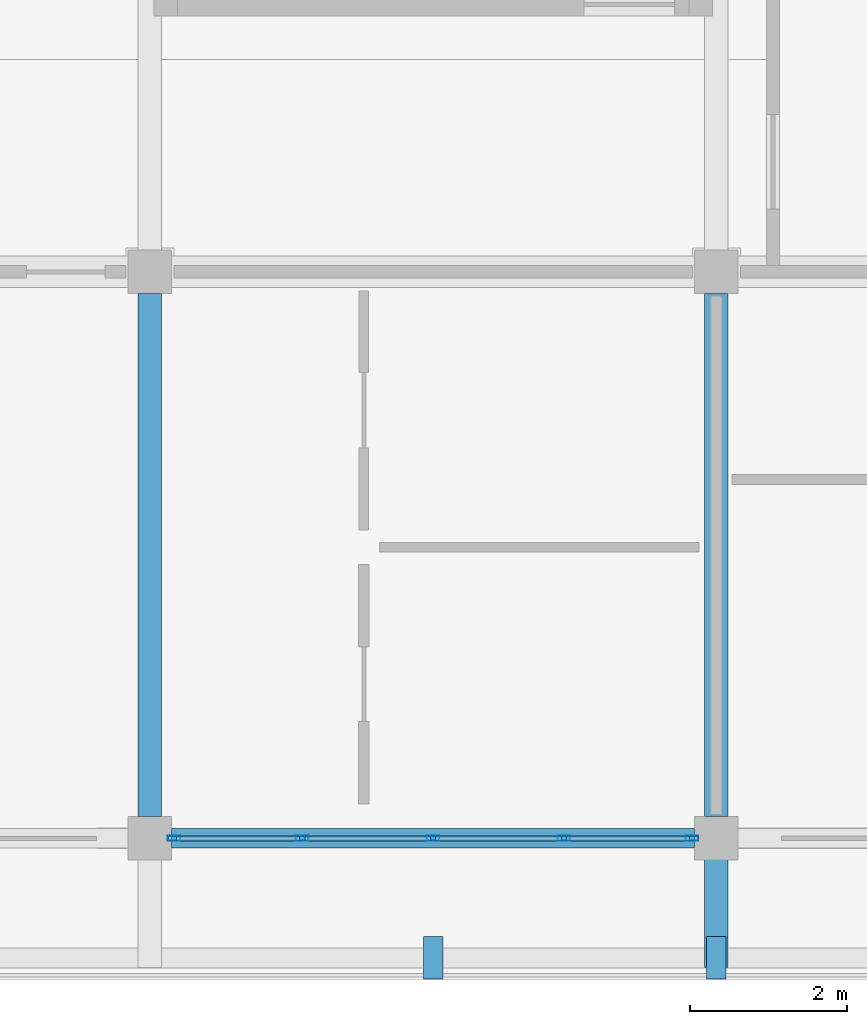
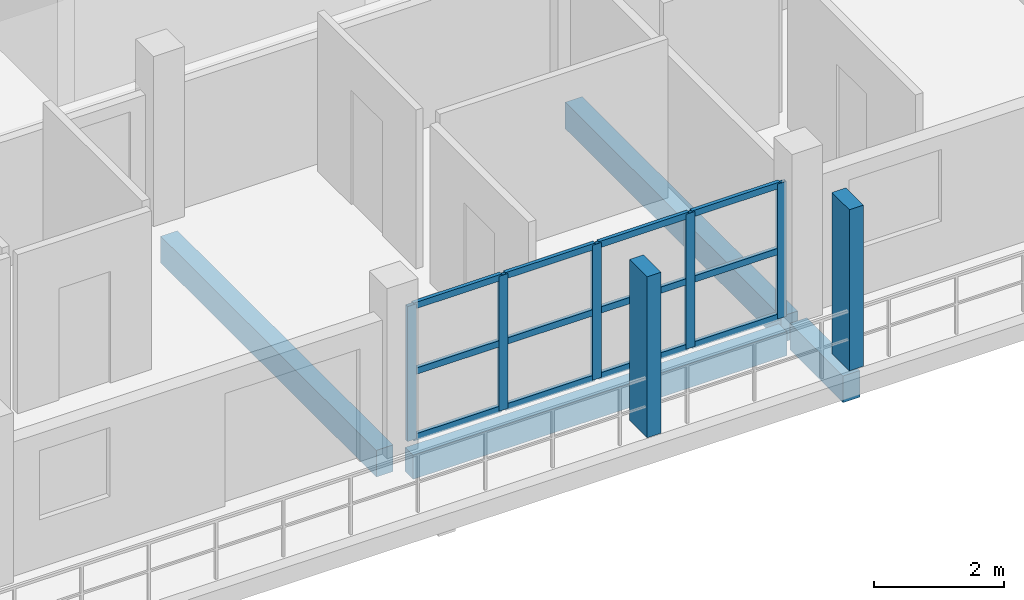
# One storey, part 4 of 67: 19 members, 4 beams, 1 element without a shape of its own.
"""IFC4 building model written with IfcOpenShell, lengths in metres."""

import ifcopenshell
import ifcopenshell.guid

model = None  # the IFC model being written
_history = None  # IfcOwnerHistory: only IFC2X3 demands one
_inside = {}  # id of a spatial element -> (the spatial element, [elements in it])
_under = {}  # id of a project, library or spatial element -> (it, [spatial elements below it])
_declared = {}  # id of a project -> (the project, [libraries it declares])
_typed = {}  # id of a type object -> (the type object, [elements of that type])
_made_of = {}  # id of a material, layer set ... -> (it, [elements and type objects made of it])


def new_model(schema):
    """Start an empty IFC model of exactly this schema.

    Asked for "IFC4X3", IfcOpenShell would pick the latest addendum, in which some entities
    have other attributes; the version numbers below select the first issue.
    IFC2X3 requires an IfcOwnerHistory on every rooted entity: one is made here for all.
    """
    global model, _history
    if schema == "IFC4X3":
        model = ifcopenshell.file(schema_version=(4, 3, 0, 0))
    else:
        model = ifcopenshell.file(schema=schema)
    _inside.clear()
    _under.clear()
    _declared.clear()
    _typed.clear()
    _made_of.clear()
    _history = None
    if model.schema == "IFC2X3":
        org = make("IfcOrganization", Name="unknown")
        user = make(
            "IfcPersonAndOrganization",
            ThePerson=make("IfcPerson", FamilyName="unknown"),
            TheOrganization=org,
        )
        app = make(
            "IfcApplication",
            ApplicationDeveloper=org,
            Version="unknown",
            ApplicationFullName="unknown",
            ApplicationIdentifier="unknown",
        )
        _history = make(
            "IfcOwnerHistory",
            OwningUser=user,
            OwningApplication=app,
            ChangeAction="ADDED",
            CreationDate=0,
        )
    return model


def make(cls, **values):
    """One entity of the class cls with the attributes given. An attribute that is None is left unset."""
    return model.create_entity(
        cls, **{name: value for name, value in values.items() if value is not None}
    )


def rooted(cls, **values):
    """An entity with a GlobalId (a new one), such as an element, a storey or a relation."""
    return make(cls, GlobalId=ifcopenshell.guid.new(), OwnerHistory=_history, **values)


def si_unit(unit_type, name, prefix=None):
    """IfcSIUnit, for example si_unit("LENGTHUNIT", "METRE", prefix="MILLI")."""
    return make("IfcSIUnit", UnitType=unit_type, Prefix=prefix, Name=name)


def assignment(units):
    """IfcUnitAssignment: the units of a project."""
    return None if units is None else make("IfcUnitAssignment", Units=units)


def point(xyz):
    """IfcCartesianPoint."""
    return None if xyz is None else make("IfcCartesianPoint", Coordinates=xyz)


def direction(xyz):
    """IfcDirection."""
    return None if xyz is None else make("IfcDirection", DirectionRatios=xyz)


def frame(location, z_axis=None, x_axis=None):
    """IfcAxis2Placement3D, a coordinate frame: its origin and axes. An axis left out is left unset."""
    return make(
        "IfcAxis2Placement3D",
        Location=point(location),
        Axis=direction(z_axis),
        RefDirection=direction(x_axis),
    )


def frame_2d(location, x_axis=None):
    """IfcAxis2Placement2D, a coordinate frame in the plane: its origin and x axis."""
    return make(
        "IfcAxis2Placement2D", Location=point(location), RefDirection=direction(x_axis)
    )


def origin():
    """The frame at (0, 0, 0) with its axes left unset."""
    return frame((0.0, 0.0, 0.0))


def origin_2d():
    """The frame at (0, 0) in the plane with its x axis left unset."""
    return frame_2d((0.0, 0.0))


def place(relative_to, where):
    """IfcLocalPlacement: puts the frame where relative to a parent placement (None: the world)."""
    return make(
        "IfcLocalPlacement", PlacementRelTo=relative_to, RelativePlacement=where
    )


def context(
    kind, dimensions, precision=None, world=None, true_north=None, identifier=None
):
    """IfcGeometricRepresentationContext, for example the 3D "Model" context."""
    return make(
        "IfcGeometricRepresentationContext",
        ContextIdentifier=identifier,
        ContextType=kind,
        CoordinateSpaceDimension=dimensions,
        Precision=precision,
        WorldCoordinateSystem=world,
        TrueNorth=true_north,
    )


def subcontext(parent, identifier, kind, view, scale=None):
    """IfcGeometricRepresentationSubContext, for example "Body" below "Model"."""
    return make(
        "IfcGeometricRepresentationSubContext",
        ContextIdentifier=identifier,
        ContextType=kind,
        ParentContext=parent,
        TargetScale=scale,
        TargetView=view,
    )


def project(units=None, contexts=None):
    """IfcProject with its units and contexts."""
    return rooted(
        "IfcProject",
        Name="project",
        RepresentationContexts=contexts,
        UnitsInContext=assignment(units),
    )


def spatial(cls, under=None, at=None, **own):
    """A site, building, storey or space (cls), placed at a placement, below another one or the project."""
    s = rooted(cls, ObjectPlacement=at, **own)
    if under is not None:
        _under.setdefault(under.id(), (under, []))[1].append(s)
    return s


def profile(cls, at=None, kind="AREA", **sizes):
    """A parametric profile (cls). Its sizes go by their IFC names, for example OverallWidth=200.0."""
    return make(cls, ProfileType=kind, Position=at, **sizes)


def rectangle(**sizes):
    """IfcRectangleProfileDef."""
    return profile("IfcRectangleProfileDef", **sizes)


def hollow_rectangle(**sizes):
    """IfcRectangleHollowProfileDef."""
    return profile("IfcRectangleHollowProfileDef", **sizes)


def extrude(swept, where, along, depth):
    """IfcExtrudedAreaSolid: the profile swept, set in the frame where, extruded along a direction by depth."""
    return make(
        "IfcExtrudedAreaSolid",
        SweptArea=swept,
        Position=where,
        ExtrudedDirection=direction(along),
        Depth=depth,
    )


def shape(context_of_items, identifier, shape_type, items):
    """IfcShapeRepresentation: the items that make up one representation, for example the "Body"."""
    return make(
        "IfcShapeRepresentation",
        ContextOfItems=context_of_items,
        RepresentationIdentifier=identifier,
        RepresentationType=shape_type,
        Items=items,
    )


def material(Name=None, Category=None):
    """IfcMaterial."""
    return make("IfcMaterial", Name=Name, Category=Category)


def material_profile(
    of_material, cross_section, Name=None, Category=None, Priority=None
):
    """IfcMaterialProfile: a cross section and its material."""
    return make(
        "IfcMaterialProfile",
        Name=Name,
        Material=of_material,
        Profile=cross_section,
        Priority=Priority,
        Category=Category,
    )


def profile_set(profiles, Name=None, composite=None):
    """IfcMaterialProfileSet."""
    return make(
        "IfcMaterialProfileSet",
        Name=Name,
        MaterialProfiles=profiles,
        CompositeProfile=composite,
    )


def made_of(thing, what):
    """Note that an element or type object is made of a material, layer set ...; save() writes the relation."""
    if what is not None:
        _made_of.setdefault(what.id(), (what, []))[1].append(thing)
    return thing


def type_object(cls, material=None, **own):
    """A type object (cls), such as IfcWallType, which elements share."""
    return made_of(rooted(cls, **own), material)


def element(
    cls,
    number,
    at=None,
    inside=None,
    cuts=None,
    type_object=None,
    material=None,
    context=None,
    identifier="Body",
    shape_type=None,
    held_by="IfcProductDefinitionShape",
    body=None,
    shapes=None,
    **own,
):
    """One element of the class cls, such as IfcWall. Its Tag is "e" and its number.

    at: its placement. inside: the storey or other place that contains it. cuts: it is an
    opening in that element (IfcRelVoidsElement). A single representation is given by context,
    identifier, shape_type and body (its items); several are given by shapes. held_by: the class
    of the entity that holds the representations. save() writes the other relations.
    """
    e = rooted(cls, Tag="e%d" % number, ObjectPlacement=at, **own)
    if body is not None:
        shapes = [shape(context, identifier, shape_type, body)]
    if shapes is not None:
        e.Representation = make(held_by, Representations=shapes)
    if inside is not None:
        _inside.setdefault(inside.id(), (inside, []))[1].append(e)
    if cuts is not None:
        rooted(
            "IfcRelVoidsElement", RelatingBuildingElement=cuts, RelatedOpeningElement=e
        )
    if type_object is not None:
        _typed.setdefault(type_object.id(), (type_object, []))[1].append(e)
    return made_of(e, material)


def aggregate(whole, parts):
    """IfcRelAggregates: a whole, such as a stair, and the parts it consists of."""
    return rooted("IfcRelAggregates", RelatingObject=whole, RelatedObjects=parts)


def save(model, path):
    """Write the relations noted so far, then the file.

    IfcRelAggregates (storeys below a building ...), IfcRelContainedInSpatialStructure (elements
    in a storey), IfcRelDefinesByType, IfcRelAssociatesMaterial and IfcRelDeclares: one each for
    every whole, place, type object, material and project.
    """
    for whole, parts in _under.values():
        aggregate(whole, parts)
    for where, things in _inside.values():
        rooted(
            "IfcRelContainedInSpatialStructure",
            RelatedElements=things,
            RelatingStructure=where,
        )
    for kind, things in _typed.values():
        rooted("IfcRelDefinesByType", RelatedObjects=things, RelatingType=kind)
    for what, things in _made_of.values():
        rooted("IfcRelAssociatesMaterial", RelatedObjects=things, RelatingMaterial=what)
    for by, libraries in _declared.values():
        rooted("IfcRelDeclares", RelatingContext=by, RelatedDefinitions=libraries)
    model.write(path)


model = new_model("IFC4")

# Units and contexts
model_context = context("Model", 3, precision=1e-05, world=origin(), true_north=direction((0.0, 1.0)))
body_context = subcontext(model_context, "Body", "Model", "MODEL_VIEW")
ifc_project = project(units=[si_unit("LENGTHUNIT", "METRE"), si_unit("AREAUNIT", "SQUARE_METRE"), si_unit("VOLUMEUNIT", "CUBIC_METRE"), si_unit("PLANEANGLEUNIT", "RADIAN"), si_unit("MASSUNIT", "GRAM", prefix="KILO")], contexts=[model_context])

# Site, building, storey
site_placement = place(None, origin())
site = spatial("IfcSite", under=ifc_project, at=site_placement, CompositionType="ELEMENT")
building_placement = place(site_placement, origin())
building = spatial("IfcBuilding", under=site, at=building_placement, Name="Suanplinth Sawtooth Commons", CompositionType="ELEMENT")
storey_placement = place(building_placement, frame((0.0, 0.0, 25.10009765625)))
storey = spatial("IfcBuildingStorey", under=building, at=storey_placement, Name="L07", CompositionType="ELEMENT", Elevation=25.10009765625)

# Beams
ifc_material_1 = material(Name="Precast concrete C40/50", Category="concrete")
ifc_material_profile_1 = material_profile(ifc_material_1, rectangle(XDim=0.300048828125, YDim=0.5, at=origin_2d()), Name="PC-BM 300x500")
ifc_profile_set_1 = profile_set([ifc_material_profile_1], Name="Precast concrete C40/50")
beam_type_1 = type_object("IfcBeamType", Name="B-07", PredefinedType="BEAM", material=ifc_profile_set_1)
for number, where, z_axis, x_axis, name in (
    (1, (14.39990234375, 0.27490234375, -0.47021484375), (0.0, 1.0, 0.0), (-1.0, 0.0, 0.0), "BMY-L07-D-2-0"),
    (2, (21.60009765625, 0.27490234375, -0.47021484375), (0.0, 1.0, 0.0), (-1.0, 0.0, 0.0), "BMY-L07-D-3-0"),
):
    element("IfcBeam", number, at=place(storey_placement, frame(where, z_axis=z_axis, x_axis=x_axis)), inside=storey, type_object=beam_type_1, Name=name, PredefinedType="BEAM", context=body_context, shape_type="SweptSolid", body=[
        extrude(rectangle(XDim=0.300048828125, YDim=0.5, at=origin_2d()), origin(), (0.0, 0.0, 1.0), 6.650146484375),
    ])
beam_1_placement = place(storey_placement, frame((21.60009765625, 0.0, -0.43017578125), z_axis=(0.0, -1.0, 0.0), x_axis=(1.0, 0.0, 0.0)))
element("IfcBeam", 3, at=beam_1_placement, inside=storey, type_object=beam_type_1, Name="Balcony Outrigger L07-D-S-3", PredefinedType="BEAM", context=body_context, shape_type="SweptSolid", body=[
    extrude(rectangle(XDim=0.300048828125, YDim=0.5, at=origin_2d()), origin(), (0.0, 0.0, 1.0), 1.639892578125),
])
ifc_material_profile_2 = material_profile(ifc_material_1, rectangle(XDim=0.25, YDim=0.449951171875, at=origin_2d()), Name="PC-SP 250x450")
ifc_profile_set_2 = profile_set([ifc_material_profile_2], Name="Precast concrete C40/50")
beam_type_2 = type_object("IfcBeamType", Name="B-09", PredefinedType="SPANDREL", material=ifc_profile_set_2)
beam_2_placement = place(storey_placement, frame((14.675048828125, 0.0, -0.445068359375), z_axis=(1.0, 0.0, 0.0), x_axis=(0.0, 1.0, 0.0)))
element("IfcBeam", 4, at=beam_2_placement, inside=storey, type_object=beam_type_2, Name="BMX-L07-D-2-0", PredefinedType="SPANDREL", context=body_context, shape_type="SweptSolid", body=[
    extrude(rectangle(XDim=0.25, YDim=0.449951171875, at=origin_2d()), origin(), (0.0, 0.0, 1.0), 6.64990234375),
])

# Members
ifc_material_2 = material(Name="Pigmented precast concrete C40/50", Category="concrete")
ifc_material_profile_3 = material_profile(ifc_material_2, rectangle(XDim=0.25, YDim=0.5400390625, at=origin_2d()), Name="PC-FIN 250x540")
ifc_profile_set_3 = profile_set([ifc_material_profile_3], Name="Pigmented precast concrete C40/50")
member_type_1 = type_object("IfcMemberType", Name="M-11", PredefinedType="USERDEFINED", material=ifc_profile_set_3)
for number, where, z_axis, x_axis, name in (
    (5, (18.0, -1.52001953125, 0.0), (0.0, 0.0, 1.0), (1.0, 0.0, 0.0), "Upright Solar Blade L07-D-S-02"),
    (6, (21.60009765625, -1.52001953125, 0.0), (0.0, 0.0, 1.0), (1.0, 0.0, 0.0), "Upright Solar Blade L07-D-S-03"),
):
    element("IfcMember", number, at=place(storey_placement, frame(where, z_axis=z_axis, x_axis=x_axis)), inside=storey, type_object=member_type_1, Name=name, ObjectType="SHADING FIN", PredefinedType="USERDEFINED", context=body_context, shape_type="SweptSolid", body=[
        extrude(rectangle(XDim=0.25, YDim=0.5400390625, at=origin_2d()), origin(), (0.0, 0.0, 1.0), 3.02978515625),
    ])

# Curtain wall, members
ifc_material_3 = material(Name="Anodized aluminium and low-E glazing", Category="aluminium")
curtain_wall_type = type_object("IfcCurtainWallType", Name="CW-06", PredefinedType="USERDEFINED", material=ifc_material_3)
curtain_wall_placement = place(storey_placement, origin())
curtain_wall = element("IfcCurtainWall", 7, at=curtain_wall_placement, inside=storey, type_object=curtain_wall_type, Name="Curtain Wall CW-L07-D-LOUNGE-2", ObjectType="CURTAIN WALL", PredefinedType="USERDEFINED")
ifc_material_4 = material(Name="Anodized aluminium 6063-T6", Category="aluminium")
ifc_material_profile_4 = material_profile(ifc_material_4, hollow_rectangle(XDim=0.06494140625, YDim=0.159912109375, WallThickness=0.00390625, at=origin_2d()), Name="ALU-MUL 65x160")
ifc_profile_set_4 = profile_set([ifc_material_profile_4], Name="Anodized aluminium 6063-T6")
member_type_2 = type_object("IfcMemberType", Name="M-13", PredefinedType="MULLION", material=ifc_profile_set_4)
member_1_placement = place(storey_placement, frame((14.70751953125, 0.0, 0.0), z_axis=(0.0, 0.0, 1.0), x_axis=(0.0, 1.0, 0.0)))
member_1 = element("IfcMember", 8, at=member_1_placement, type_object=member_type_2, Name="CW-06 mullion 1", PredefinedType="MULLION", context=body_context, shape_type="SweptSolid", body=[
    extrude(hollow_rectangle(XDim=0.06494140625, YDim=0.159912109375, WallThickness=0.00390625, at=origin_2d()), origin(), (0.0, 0.0, 1.0), 2.539794921875),
])
member_2_placement = place(storey_placement, frame((16.33740234375, 0.0, 0.0), z_axis=(0.0, 0.0, 1.0), x_axis=(0.0, 1.0, 0.0)))
member_2 = element("IfcMember", 9, at=member_2_placement, type_object=member_type_2, Name="CW-06 mullion 2", PredefinedType="MULLION", context=body_context, shape_type="SweptSolid", body=[
    extrude(hollow_rectangle(XDim=0.06494140625, YDim=0.159912109375, WallThickness=0.00390625, at=origin_2d()), origin(), (0.0, 0.0, 1.0), 2.539794921875),
])
member_3_placement = place(storey_placement, frame((18.0, 0.0, 0.0), z_axis=(0.0, 0.0, 1.0), x_axis=(0.0, 1.0, 0.0)))
member_3 = element("IfcMember", 10, at=member_3_placement, type_object=member_type_2, Name="CW-06 mullion 3", PredefinedType="MULLION", context=body_context, shape_type="SweptSolid", body=[
    extrude(hollow_rectangle(XDim=0.06494140625, YDim=0.159912109375, WallThickness=0.00390625, at=origin_2d()), origin(), (0.0, 0.0, 1.0), 2.539794921875),
])
member_4_placement = place(storey_placement, frame((19.66259765625, 0.0, 0.0), z_axis=(0.0, 0.0, 1.0), x_axis=(0.0, 1.0, 0.0)))
member_4 = element("IfcMember", 11, at=member_4_placement, type_object=member_type_2, Name="CW-06 mullion 4", PredefinedType="MULLION", context=body_context, shape_type="SweptSolid", body=[
    extrude(hollow_rectangle(XDim=0.06494140625, YDim=0.159912109375, WallThickness=0.00390625, at=origin_2d()), origin(), (0.0, 0.0, 1.0), 2.539794921875),
])
member_5_placement = place(storey_placement, frame((21.29248046875, 0.0, 0.0), z_axis=(0.0, 0.0, 1.0), x_axis=(0.0, 1.0, 0.0)))
member_5 = element("IfcMember", 12, at=member_5_placement, type_object=member_type_2, Name="CW-06 mullion 5", PredefinedType="MULLION", context=body_context, shape_type="SweptSolid", body=[
    extrude(hollow_rectangle(XDim=0.06494140625, YDim=0.159912109375, WallThickness=0.00390625, at=origin_2d()), origin(), (0.0, 0.0, 1.0), 2.539794921875),
])
ifc_material_profile_5 = material_profile(ifc_material_4, hollow_rectangle(XDim=0.06494140625, YDim=0.1201171875, WallThickness=0.00390625, at=origin_2d()), Name="ALU-TRN 65x120")
ifc_profile_set_5 = profile_set([ifc_material_profile_5], Name="Anodized aluminium 6063-T6")
member_type_3 = type_object("IfcMemberType", Name="M-15", PredefinedType="USERDEFINED", material=ifc_profile_set_5)
member_6_placement = place(storey_placement, frame((14.739990234375, 0.0, 0.032470703125), z_axis=(1.0, 0.0, 0.0), x_axis=(0.0, 1.0, 0.0)))
member_6 = element("IfcMember", 13, at=member_6_placement, type_object=member_type_3, Name="CW-06 transom 1.1", ObjectType="TRANSOM", PredefinedType="USERDEFINED", context=body_context, shape_type="SweptSolid", body=[
    extrude(hollow_rectangle(XDim=0.06494140625, YDim=0.1201171875, WallThickness=0.00390625, at=origin_2d()), origin(), (0.0, 0.0, 1.0), 1.56494140625),
])
member_7_placement = place(storey_placement, frame((14.739990234375, 0.0, 1.27001953125), z_axis=(1.0, 0.0, 0.0), x_axis=(0.0, 1.0, 0.0)))
member_7 = element("IfcMember", 14, at=member_7_placement, type_object=member_type_3, Name="CW-06 transom 1.2", ObjectType="TRANSOM", PredefinedType="USERDEFINED", context=body_context, shape_type="SweptSolid", body=[
    extrude(hollow_rectangle(XDim=0.06494140625, YDim=0.1201171875, WallThickness=0.00390625, at=origin_2d()), origin(), (0.0, 0.0, 1.0), 1.56494140625),
])
member_8_placement = place(storey_placement, frame((14.739990234375, 0.0, 2.50732421875), z_axis=(1.0, 0.0, 0.0), x_axis=(0.0, 1.0, 0.0)))
member_8 = element("IfcMember", 15, at=member_8_placement, type_object=member_type_3, Name="CW-06 transom 1.3", ObjectType="TRANSOM", PredefinedType="USERDEFINED", context=body_context, shape_type="SweptSolid", body=[
    extrude(hollow_rectangle(XDim=0.06494140625, YDim=0.1201171875, WallThickness=0.00390625, at=origin_2d()), origin(), (0.0, 0.0, 1.0), 1.56494140625),
])
member_9_placement = place(storey_placement, frame((16.3701171875, 0.0, 0.032470703125), z_axis=(1.0, 0.0, 0.0), x_axis=(0.0, 1.0, 0.0)))
member_9 = element("IfcMember", 16, at=member_9_placement, type_object=member_type_3, Name="CW-06 transom 2.1", ObjectType="TRANSOM", PredefinedType="USERDEFINED", context=body_context, shape_type="SweptSolid", body=[
    extrude(hollow_rectangle(XDim=0.06494140625, YDim=0.1201171875, WallThickness=0.00390625, at=origin_2d()), origin(), (0.0, 0.0, 1.0), 1.597412109375),
])
member_10_placement = place(storey_placement, frame((16.3701171875, 0.0, 1.27001953125), z_axis=(1.0, 0.0, 0.0), x_axis=(0.0, 1.0, 0.0)))
member_10 = element("IfcMember", 17, at=member_10_placement, type_object=member_type_3, Name="CW-06 transom 2.2", ObjectType="TRANSOM", PredefinedType="USERDEFINED", context=body_context, shape_type="SweptSolid", body=[
    extrude(hollow_rectangle(XDim=0.06494140625, YDim=0.1201171875, WallThickness=0.00390625, at=origin_2d()), origin(), (0.0, 0.0, 1.0), 1.597412109375),
])
member_11_placement = place(storey_placement, frame((16.3701171875, 0.0, 2.50732421875), z_axis=(1.0, 0.0, 0.0), x_axis=(0.0, 1.0, 0.0)))
member_11 = element("IfcMember", 18, at=member_11_placement, type_object=member_type_3, Name="CW-06 transom 2.3", ObjectType="TRANSOM", PredefinedType="USERDEFINED", context=body_context, shape_type="SweptSolid", body=[
    extrude(hollow_rectangle(XDim=0.06494140625, YDim=0.1201171875, WallThickness=0.00390625, at=origin_2d()), origin(), (0.0, 0.0, 1.0), 1.597412109375),
])
member_12_placement = place(storey_placement, frame((18.032470703125, 0.0, 0.032470703125), z_axis=(1.0, 0.0, 0.0), x_axis=(0.0, 1.0, 0.0)))
member_12 = element("IfcMember", 19, at=member_12_placement, type_object=member_type_3, Name="CW-06 transom 3.1", ObjectType="TRANSOM", PredefinedType="USERDEFINED", context=body_context, shape_type="SweptSolid", body=[
    extrude(hollow_rectangle(XDim=0.06494140625, YDim=0.1201171875, WallThickness=0.00390625, at=origin_2d()), origin(), (0.0, 0.0, 1.0), 1.597412109375),
])
member_13_placement = place(storey_placement, frame((18.032470703125, 0.0, 1.27001953125), z_axis=(1.0, 0.0, 0.0), x_axis=(0.0, 1.0, 0.0)))
member_13 = element("IfcMember", 20, at=member_13_placement, type_object=member_type_3, Name="CW-06 transom 3.2", ObjectType="TRANSOM", PredefinedType="USERDEFINED", context=body_context, shape_type="SweptSolid", body=[
    extrude(hollow_rectangle(XDim=0.06494140625, YDim=0.1201171875, WallThickness=0.00390625, at=origin_2d()), origin(), (0.0, 0.0, 1.0), 1.597412109375),
])
member_14_placement = place(storey_placement, frame((18.032470703125, 0.0, 2.50732421875), z_axis=(1.0, 0.0, 0.0), x_axis=(0.0, 1.0, 0.0)))
member_14 = element("IfcMember", 21, at=member_14_placement, type_object=member_type_3, Name="CW-06 transom 3.3", ObjectType="TRANSOM", PredefinedType="USERDEFINED", context=body_context, shape_type="SweptSolid", body=[
    extrude(hollow_rectangle(XDim=0.06494140625, YDim=0.1201171875, WallThickness=0.00390625, at=origin_2d()), origin(), (0.0, 0.0, 1.0), 1.597412109375),
])
member_15_placement = place(storey_placement, frame((19.695068359375, 0.0, 0.032470703125), z_axis=(1.0, 0.0, 0.0), x_axis=(0.0, 1.0, 0.0)))
member_15 = element("IfcMember", 22, at=member_15_placement, type_object=member_type_3, Name="CW-06 transom 4.1", ObjectType="TRANSOM", PredefinedType="USERDEFINED", context=body_context, shape_type="SweptSolid", body=[
    extrude(hollow_rectangle(XDim=0.06494140625, YDim=0.1201171875, WallThickness=0.00390625, at=origin_2d()), origin(), (0.0, 0.0, 1.0), 1.56494140625),
])
member_16_placement = place(storey_placement, frame((19.695068359375, 0.0, 1.27001953125), z_axis=(1.0, 0.0, 0.0), x_axis=(0.0, 1.0, 0.0)))
member_16 = element("IfcMember", 23, at=member_16_placement, type_object=member_type_3, Name="CW-06 transom 4.2", ObjectType="TRANSOM", PredefinedType="USERDEFINED", context=body_context, shape_type="SweptSolid", body=[
    extrude(hollow_rectangle(XDim=0.06494140625, YDim=0.1201171875, WallThickness=0.00390625, at=origin_2d()), origin(), (0.0, 0.0, 1.0), 1.56494140625),
])
member_17_placement = place(storey_placement, frame((19.695068359375, 0.0, 2.50732421875), z_axis=(1.0, 0.0, 0.0), x_axis=(0.0, 1.0, 0.0)))
member_17 = element("IfcMember", 24, at=member_17_placement, type_object=member_type_3, Name="CW-06 transom 4.3", ObjectType="TRANSOM", PredefinedType="USERDEFINED", context=body_context, shape_type="SweptSolid", body=[
    extrude(hollow_rectangle(XDim=0.06494140625, YDim=0.1201171875, WallThickness=0.00390625, at=origin_2d()), origin(), (0.0, 0.0, 1.0), 1.56494140625),
])
aggregate(curtain_wall, [member_1, member_2, member_3, member_4, member_5, member_6, member_7, member_8, member_9, member_10, member_11, member_12, member_13, member_14, member_15, member_16, member_17])

save(model, "model.ifc")
